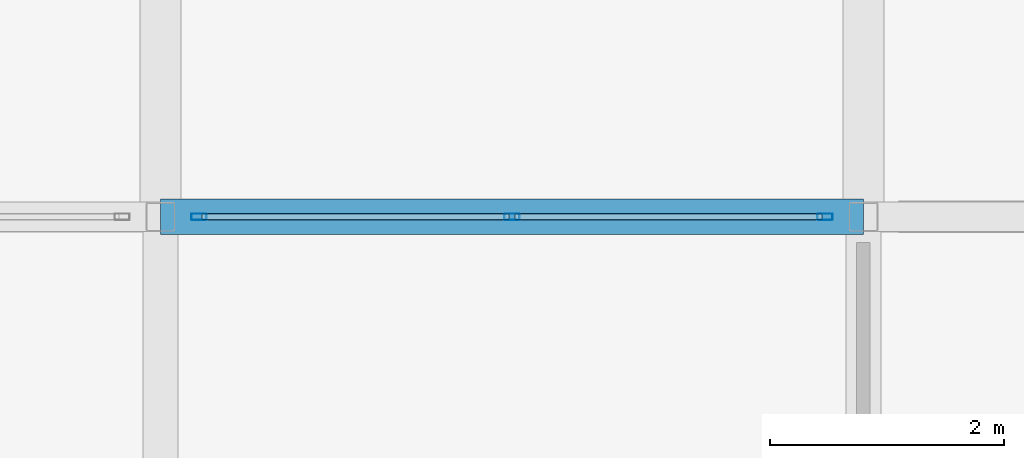
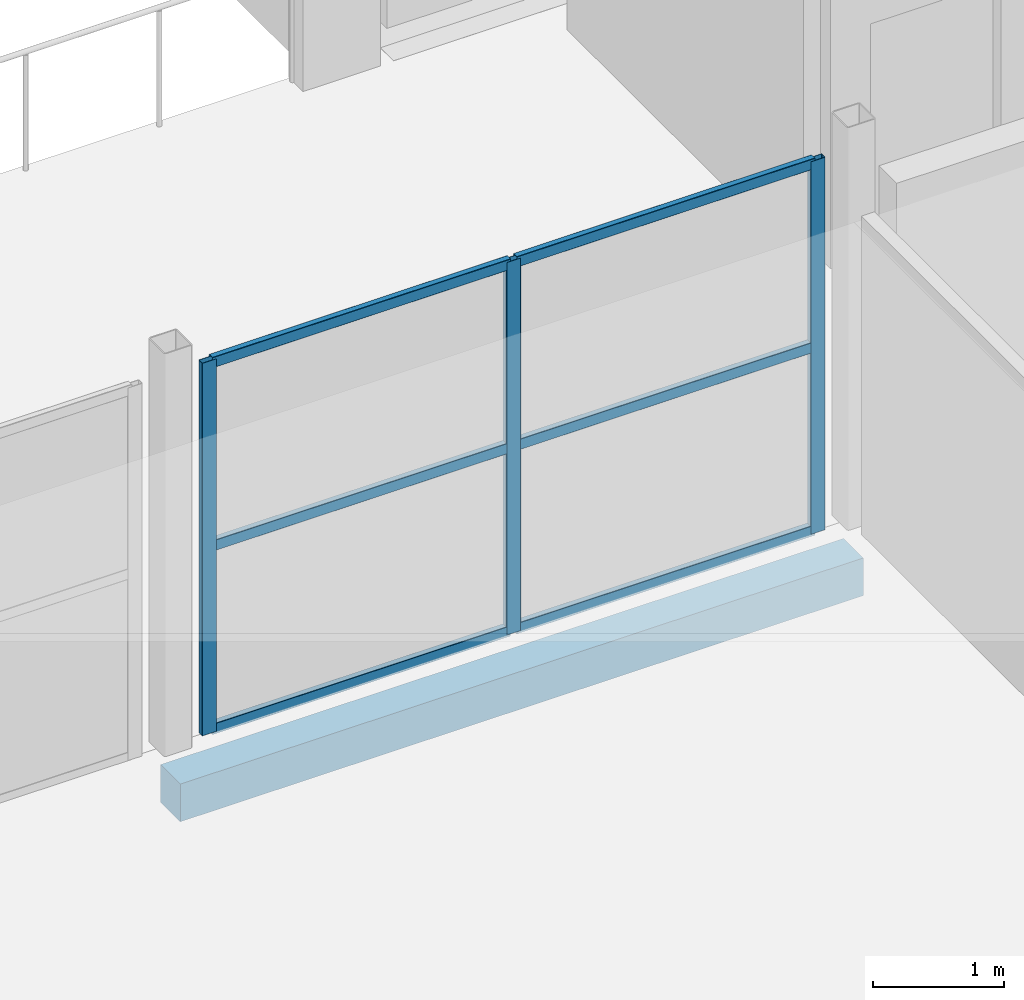
# One storey, part 165 of 239: 9 members, 1 beam, 1 element without a shape of its own.
"""IFC4 building model written with IfcOpenShell, lengths in metres."""

from ifc_helpers import new_model, si_unit, direction, frame, origin, origin_2d, place, context, subcontext, project, spatial, rectangle, hollow_rectangle, extrude, material, layer, layer_set, material_profile, profile_set, type_object, element, aggregate, save


model = new_model("IFC4")

# Units and contexts
model_context = context("Model", 3, precision=1e-05, world=origin(), true_north=direction((0.0, 1.0)))
body_context = subcontext(model_context, "Body", "Model", "MODEL_VIEW")
ifc_project = project(units=[si_unit("LENGTHUNIT", "METRE"), si_unit("AREAUNIT", "SQUARE_METRE"), si_unit("VOLUMEUNIT", "CUBIC_METRE"), si_unit("PLANEANGLEUNIT", "RADIAN"), si_unit("MASSUNIT", "GRAM", prefix="KILO")], contexts=[model_context])

# Site, building, storey
site_placement = place(None, origin())
site = spatial("IfcSite", under=ifc_project, at=site_placement, CompositionType="ELEMENT")
building_placement = place(site_placement, origin())
building = spatial("IfcBuilding", under=site, at=building_placement, Name="Dunvalen Ferry Terminal", CompositionType="ELEMENT")
storey_placement = place(building_placement, frame((0.0, 0.0, 9.840087890625)))
storey = spatial("IfcBuildingStorey", under=building, at=storey_placement, Name="L02", CompositionType="ELEMENT", Elevation=9.840087890625)

# Curtain wall, members
ifc_material_1 = material(Name="Anodised marine aluminium and solar-control glazing", Category="aluminium")
ifc_layer = layer(ifc_material_1, 0.159912109375, Name="Anodised marine aluminium and solar-control glazing")
ifc_layer_set = layer_set([ifc_layer], Name="Anodised marine aluminium and solar-control glazing")
curtain_wall_type = type_object("IfcCurtainWallType", Name="ENV-CW-SYS-09", PredefinedType="NOTDEFINED", material=ifc_layer_set)
curtain_wall_placement = place(storey_placement, origin())
curtain_wall = element("IfcCurtainWall", 1, at=curtain_wall_placement, inside=storey, type_object=curtain_wall_type, Name="L02 Curtain Wall CW-PAV-N-5", PredefinedType="NOTDEFINED")
ifc_material_2 = material(Name="Anodised marine aluminium EN AW-6063 T6", Category="aluminium")
ifc_material_profile_1 = material_profile(ifc_material_2, hollow_rectangle(XDim=0.054931640625, YDim=0.1298828125, WallThickness=0.003173828125, InnerFilletRadius=0.003173828125, OuterFilletRadius=0.00634765625, at=origin_2d()), Name="Anodised marine aluminium EN AW-6063 T6")
ifc_profile_set_1 = profile_set([ifc_material_profile_1], Name="Anodised marine aluminium EN AW-6063 T6")
member_type_1 = type_object("IfcMemberType", Name="ENV-CW-MUL-4", PredefinedType="MULLION", material=ifc_profile_set_1)
member_1_placement = place(storey_placement, frame((138.327392578125, 36.0, 0.0), z_axis=(0.0, 0.0, 1.0), x_axis=(0.0, 1.0, 0.0)))
member_1 = element("IfcMember", 2, at=member_1_placement, type_object=member_type_1, Name="CW-09 mullion 1", PredefinedType="MULLION", context=body_context, shape_type="SweptSolid", body=[
    extrude(hollow_rectangle(XDim=0.054931640625, YDim=0.1298828125, WallThickness=0.003173828125, InnerFilletRadius=0.003173828125, OuterFilletRadius=0.00634765625, at=origin_2d()), origin(), (0.0, 0.0, 1.0), 3.4599609375),
])
member_2_placement = place(storey_placement, frame((141.0, 36.0, 0.0), z_axis=(0.0, 0.0, 1.0), x_axis=(0.0, 1.0, 0.0)))
member_2 = element("IfcMember", 3, at=member_2_placement, type_object=member_type_1, Name="CW-09 mullion 2", PredefinedType="MULLION", context=body_context, shape_type="SweptSolid", body=[
    extrude(hollow_rectangle(XDim=0.054931640625, YDim=0.1298828125, WallThickness=0.003173828125, InnerFilletRadius=0.003173828125, OuterFilletRadius=0.00634765625, at=origin_2d()), origin(), (0.0, 0.0, 1.0), 3.4599609375),
])
member_3_placement = place(storey_placement, frame((143.672607421875, 36.0, 0.0), z_axis=(0.0, 0.0, 1.0), x_axis=(0.0, 1.0, 0.0)))
member_3 = element("IfcMember", 4, at=member_3_placement, type_object=member_type_1, Name="CW-09 mullion 3", PredefinedType="MULLION", context=body_context, shape_type="SweptSolid", body=[
    extrude(hollow_rectangle(XDim=0.054931640625, YDim=0.1298828125, WallThickness=0.003173828125, InnerFilletRadius=0.003173828125, OuterFilletRadius=0.00634765625, at=origin_2d()), origin(), (0.0, 0.0, 1.0), 3.4599609375),
])
ifc_material_profile_2 = material_profile(ifc_material_2, hollow_rectangle(XDim=0.054931640625, YDim=0.10009765625, WallThickness=0.0029296875, InnerFilletRadius=0.0029296875, OuterFilletRadius=0.006103515625, at=origin_2d()), Name="Anodised marine aluminium EN AW-6063 T6")
ifc_profile_set_2 = profile_set([ifc_material_profile_2], Name="Anodised marine aluminium EN AW-6063 T6")
member_type_2 = type_object("IfcMemberType", Name="ENV-CW-TRN-4", PredefinedType="USERDEFINED", material=ifc_profile_set_2)
member_4_placement = place(storey_placement, frame((138.35498046875, 36.0, 0.02734375), z_axis=(1.0, 0.0, 0.0), x_axis=(0.0, 1.0, 0.0)))
member_4 = element("IfcMember", 5, at=member_4_placement, type_object=member_type_2, Name="CW-09 transom 1.1", ObjectType="TRANSOM", PredefinedType="USERDEFINED", context=body_context, shape_type="SweptSolid", body=[
    extrude(hollow_rectangle(XDim=0.054931640625, YDim=0.10009765625, WallThickness=0.0029296875, InnerFilletRadius=0.0029296875, OuterFilletRadius=0.006103515625, at=origin_2d()), origin(), (0.0, 0.0, 1.0), 2.617431640625),
])
member_5_placement = place(storey_placement, frame((138.35498046875, 36.0, 1.72998046875), z_axis=(1.0, 0.0, 0.0), x_axis=(0.0, 1.0, 0.0)))
member_5 = element("IfcMember", 6, at=member_5_placement, type_object=member_type_2, Name="CW-09 transom 1.2", ObjectType="TRANSOM", PredefinedType="USERDEFINED", context=body_context, shape_type="SweptSolid", body=[
    extrude(hollow_rectangle(XDim=0.054931640625, YDim=0.10009765625, WallThickness=0.0029296875, InnerFilletRadius=0.0029296875, OuterFilletRadius=0.006103515625, at=origin_2d()), origin(), (0.0, 0.0, 1.0), 2.617431640625),
])
member_6_placement = place(storey_placement, frame((138.35498046875, 36.0, 3.432373046875), z_axis=(1.0, 0.0, 0.0), x_axis=(0.0, 1.0, 0.0)))
member_6 = element("IfcMember", 7, at=member_6_placement, type_object=member_type_2, Name="CW-09 transom 1.3", ObjectType="TRANSOM", PredefinedType="USERDEFINED", context=body_context, shape_type="SweptSolid", body=[
    extrude(hollow_rectangle(XDim=0.054931640625, YDim=0.10009765625, WallThickness=0.0029296875, InnerFilletRadius=0.0029296875, OuterFilletRadius=0.006103515625, at=origin_2d()), origin(), (0.0, 0.0, 1.0), 2.617431640625),
])
member_7_placement = place(storey_placement, frame((141.027587890625, 36.0, 0.02734375), z_axis=(1.0, 0.0, 0.0), x_axis=(0.0, 1.0, 0.0)))
member_7 = element("IfcMember", 8, at=member_7_placement, type_object=member_type_2, Name="CW-09 transom 2.1", ObjectType="TRANSOM", PredefinedType="USERDEFINED", context=body_context, shape_type="SweptSolid", body=[
    extrude(hollow_rectangle(XDim=0.054931640625, YDim=0.10009765625, WallThickness=0.0029296875, InnerFilletRadius=0.0029296875, OuterFilletRadius=0.006103515625, at=origin_2d()), origin(), (0.0, 0.0, 1.0), 2.617431640625),
])
member_8_placement = place(storey_placement, frame((141.027587890625, 36.0, 1.72998046875), z_axis=(1.0, 0.0, 0.0), x_axis=(0.0, 1.0, 0.0)))
member_8 = element("IfcMember", 9, at=member_8_placement, type_object=member_type_2, Name="CW-09 transom 2.2", ObjectType="TRANSOM", PredefinedType="USERDEFINED", context=body_context, shape_type="SweptSolid", body=[
    extrude(hollow_rectangle(XDim=0.054931640625, YDim=0.10009765625, WallThickness=0.0029296875, InnerFilletRadius=0.0029296875, OuterFilletRadius=0.006103515625, at=origin_2d()), origin(), (0.0, 0.0, 1.0), 2.617431640625),
])
member_9_placement = place(storey_placement, frame((141.027587890625, 36.0, 3.432373046875), z_axis=(1.0, 0.0, 0.0), x_axis=(0.0, 1.0, 0.0)))
member_9 = element("IfcMember", 10, at=member_9_placement, type_object=member_type_2, Name="CW-09 transom 2.3", ObjectType="TRANSOM", PredefinedType="USERDEFINED", context=body_context, shape_type="SweptSolid", body=[
    extrude(hollow_rectangle(XDim=0.054931640625, YDim=0.10009765625, WallThickness=0.0029296875, InnerFilletRadius=0.0029296875, OuterFilletRadius=0.006103515625, at=origin_2d()), origin(), (0.0, 0.0, 1.0), 2.617431640625),
])
aggregate(curtain_wall, [member_1, member_2, member_3, member_4, member_5, member_6, member_7, member_8, member_9])

# Beam
ifc_material_3 = material(Name="Concrete C40/50", Category="concrete")
ifc_material_profile_3 = material_profile(ifc_material_3, rectangle(XDim=0.300048828125, YDim=0.35009765625, at=origin_2d()), Name="Concrete C40/50")
ifc_profile_set_3 = profile_set([ifc_material_profile_3], Name="Concrete C40/50")
beam_type = type_object("IfcBeamType", Name="STR-BM-RCL350", PredefinedType="LINTEL", material=ifc_profile_set_3)
beam_placement = place(storey_placement, frame((138.0, 36.0, -0.455078125), z_axis=(1.0, 0.0, 0.0), x_axis=(0.0, 1.0, 0.0)))
element("IfcBeam", 11, at=beam_placement, inside=storey, type_object=beam_type, Name="L02 V4 Primary Beam X-052", PredefinedType="LINTEL", context=body_context, shape_type="SweptSolid", body=[
    extrude(rectangle(XDim=0.300048828125, YDim=0.35009765625, at=origin_2d()), origin(), (0.0, 0.0, 1.0), 6.0),
])

save(model, "model.ifc")
